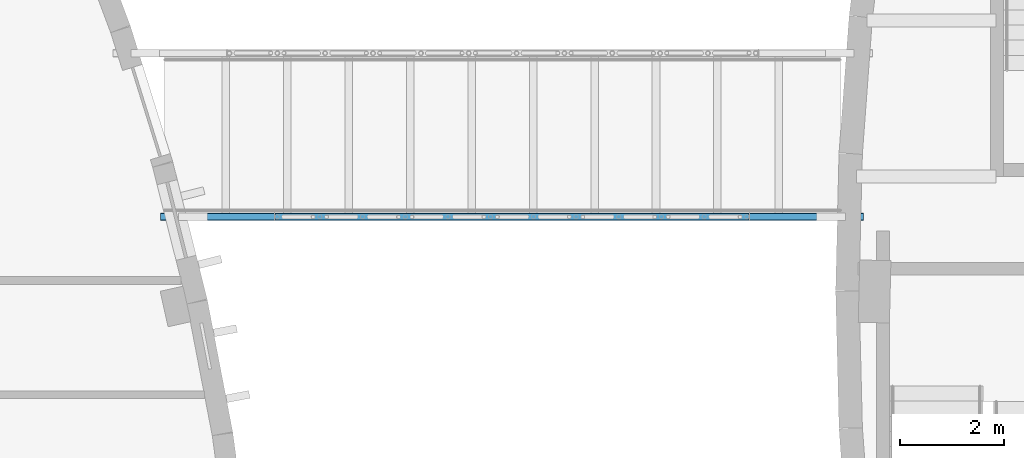
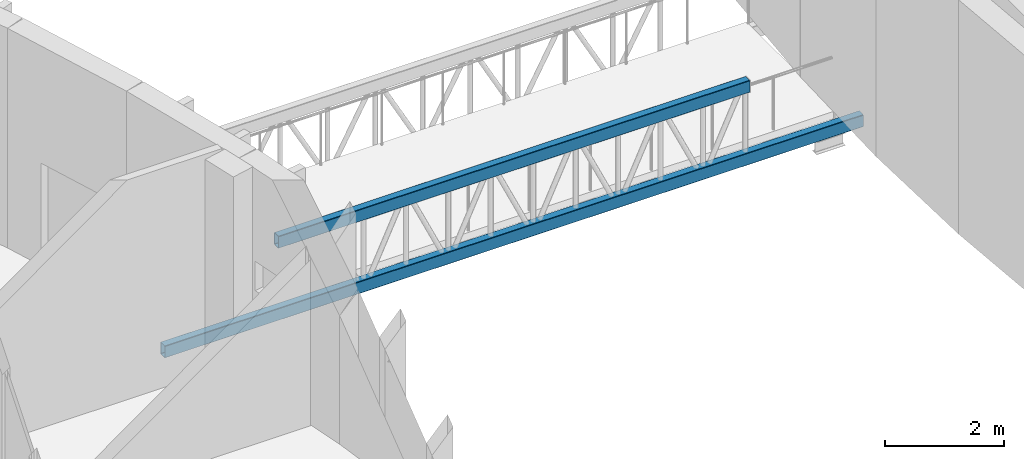
# One storey, part 13 of 93: 2 members.
"""IFC4 building model written with IfcOpenShell, lengths in metres."""

from ifc_helpers import new_model, si_unit, direction, frame, origin, origin_2d, place, context, subcontext, project, spatial, hollow_rectangle, extrude, material, material_profile, profile_set, type_object, element, save


model = new_model("IFC4")

# Units and contexts
model_context = context("Model", 3, precision=1e-05, world=origin(), true_north=direction((0.0, 1.0)))
body_context = subcontext(model_context, "Body", "Model", "MODEL_VIEW")
ifc_project = project(units=[si_unit("LENGTHUNIT", "METRE"), si_unit("AREAUNIT", "SQUARE_METRE"), si_unit("VOLUMEUNIT", "CUBIC_METRE"), si_unit("PLANEANGLEUNIT", "RADIAN"), si_unit("MASSUNIT", "GRAM", prefix="KILO")], contexts=[model_context])

# Site, building, storey
site_placement = place(None, origin())
site = spatial("IfcSite", under=ifc_project, at=site_placement, CompositionType="ELEMENT")
building_placement = place(site_placement, origin())
building = spatial("IfcBuilding", under=site, at=building_placement, Name="Tide Square Theatres", CompositionType="ELEMENT")
storey_placement = place(building_placement, frame((0.0, 0.0, 5.39990234375)))
storey = spatial("IfcBuildingStorey", under=building, at=storey_placement, Name="L01", CompositionType="ELEMENT", Elevation=5.39990234375)

# Members
ifc_material = material(Name="Steel ASTM A500 Grade C", Category="steel")
ifc_material_profile = material_profile(ifc_material, hollow_rectangle(XDim=0.14990234375, YDim=0.25, WallThickness=0.008056640625, InnerFilletRadius=0.008056640625, OuterFilletRadius=0.01611328125, at=origin_2d()))
ifc_profile_set = profile_set([ifc_material_profile], Name="Steel ASTM A500 Grade C")
member_type = type_object("IfcMemberType", Name="Steel chord RHS 250 x 150 x 8.0", PredefinedType="CHORD", material=ifc_profile_set)
member_1_placement = place(storey_placement, frame((49.668701171875, 56.425048828125, -0.27490234375), z_axis=(1.0, 0.0, 0.0), x_axis=(0.0, 1.0, 0.0)))
element("IfcMember", 1, at=member_1_placement, inside=storey, type_object=member_type, Name="Bridge BR-W1 bottom chord", PredefinedType="CHORD", context=body_context, shape_type="SweptSolid", body=[
    extrude(hollow_rectangle(XDim=0.14990234375, YDim=0.25, WallThickness=0.008056640625, InnerFilletRadius=0.008056640625, OuterFilletRadius=0.01611328125, at=origin_2d()), origin(), (0.0, 0.0, 1.0), 13.53125),
])
member_2_placement = place(storey_placement, frame((51.86865234375, 56.425048828125, 1.2001953125), z_axis=(1.0, 0.0, 0.0), x_axis=(0.0, 1.0, 0.0)))
element("IfcMember", 2, at=member_2_placement, inside=storey, type_object=member_type, Name="Bridge BR-W1 top chord", PredefinedType="CHORD", context=body_context, shape_type="SweptSolid", body=[
    extrude(hollow_rectangle(XDim=0.14990234375, YDim=0.25, WallThickness=0.008056640625, InnerFilletRadius=0.008056640625, OuterFilletRadius=0.01611328125, at=origin_2d()), origin(), (0.0, 0.0, 1.0), 9.13134765625),
])

save(model, "model.ifc")
